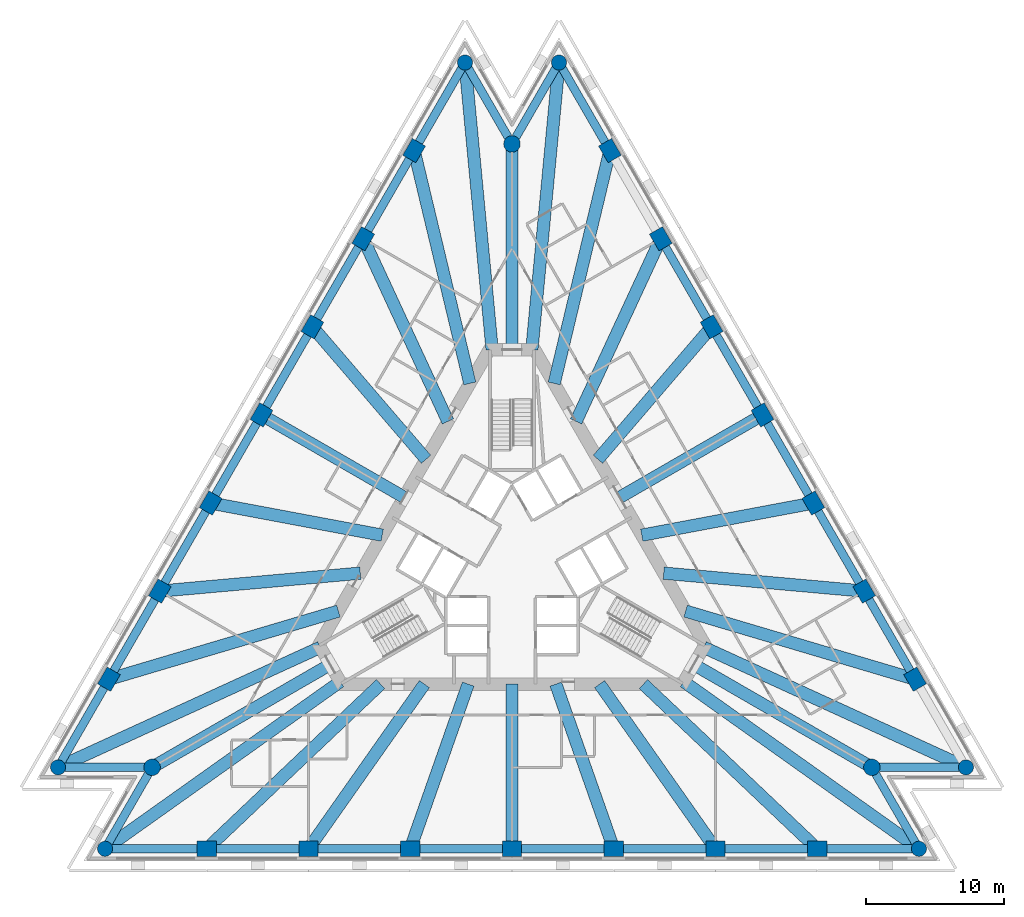
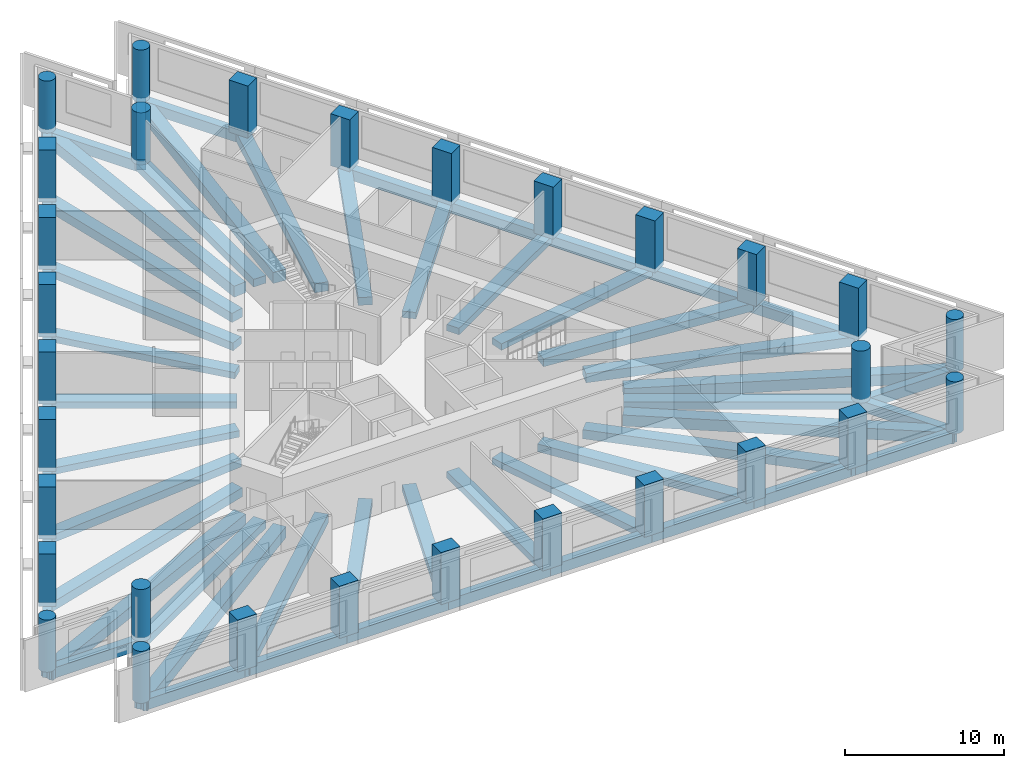
# One storey, part 1 of 11: 58 beams, 30 columns.
"""IFC4 building model written with IfcOpenShell, lengths in metres."""

from ifc_helpers import new_model, si_unit, direction, frame, origin, origin_2d, place, context, subcontext, project, spatial, rectangle, circle, extrude, material, material_profile, profile_set, type_object, element, save


model = new_model("IFC4")

# Units and contexts
model_context = context("Model", 3, precision=1e-05, world=origin(), true_north=direction((0.0, 1.0)))
body_context = subcontext(model_context, "Body", "Model", "MODEL_VIEW")
ifc_project = project(units=[si_unit("LENGTHUNIT", "METRE"), si_unit("AREAUNIT", "SQUARE_METRE"), si_unit("VOLUMEUNIT", "CUBIC_METRE"), si_unit("PLANEANGLEUNIT", "RADIAN"), si_unit("MASSUNIT", "GRAM", prefix="KILO")], contexts=[model_context])

# Site, building, storey
site_placement = place(None, origin())
site = spatial("IfcSite", under=ifc_project, at=site_placement, CompositionType="ELEMENT")
building_placement = place(site_placement, origin())
building = spatial("IfcBuilding", under=site, at=building_placement, Name="Triada Interchange Tower", CompositionType="ELEMENT")
storey_placement = place(building_placement, frame((0.0, 0.0, 67.300048828125)))
storey = spatial("IfcBuildingStorey", under=building, at=storey_placement, Name="L14", CompositionType="ELEMENT", Elevation=67.300048828125)

# Columns
ifc_material_1 = material(Name="Concrete C70/85", Category="concrete")
ifc_material_profile_1 = material_profile(ifc_material_1, rectangle(XDim=1.39990234375, YDim=1.10009765625, at=origin_2d()), Name="RC 1400x1100")
ifc_profile_set_1 = profile_set([ifc_material_profile_1], Name="Concrete C70/85")
column_type_1 = type_object("IfcColumnType", Name="Column A face RC 1400x1100", PredefinedType="COLUMN", material=ifc_profile_set_1)
for number, where, z_axis, x_axis, name in (
    (1, (-7.112060546875, 29.7119140625, -0.300048828125), (0.0, 0.0, 1.0), (0.5, 0.866025403784, 0.0), "Column CA02 L14"),
    (2, (-10.80810546875, 23.31005859375, -0.300048828125), (0.0, 0.0, 1.0), (0.5, 0.866025403784, 0.0), "Column CA03 L14"),
    (3, (-14.50390625, 16.908935546875, -0.300048828125), (0.0, 0.0, 1.0), (0.5, 0.866025403784, 0.0), "Column CA04 L14"),
    (4, (-18.198974609375, 10.508056640625, -0.300048828125), (0.0, 0.0, 1.0), (0.5, 0.866025403784, 0.0), "Column CA05 L14"),
    (5, (-21.89501953125, 4.10595703125, -0.300048828125), (0.0, 0.0, 1.0), (0.5, 0.866025403784, 0.0), "Column CA06 L14"),
    (6, (-25.591064453125, -2.294921875, -0.300048828125), (0.0, 0.0, 1.0), (0.5, 0.866025403784, 0.0), "Column CA07 L14"),
    (7, (-29.287109375, -8.697021484375, -0.300048828125), (0.0, 0.0, 1.0), (0.5, 0.866025403784, 0.0), "Column CA08 L14"),
    (8, (-22.174072265625, -21.014892578125, -0.300048828125), (0.0, 0.0, 1.0), (1.0, 0.0, 0.0), "Column CA11 L14"),
    (9, (-14.782958984375, -21.014892578125, -0.300048828125), (0.0, 0.0, 1.0), (1.0, 0.0, 0.0), "Column CA12 L14"),
    (10, (-7.39208984375, -21.014892578125, -0.300048828125), (0.0, 0.0, 1.0), (1.0, 0.0, 0.0), "Column CA13 L14"),
    (11, (0.0, -21.014892578125, -0.300048828125), (0.0, 0.0, 1.0), (1.0, 0.0, 0.0), "Column CA14 L14"),
    (12, (7.39111328125, -21.014892578125, -0.300048828125), (0.0, 0.0, 1.0), (1.0, 0.0, 0.0), "Column CA15 L14"),
    (13, (14.782958984375, -21.014892578125, -0.300048828125), (0.0, 0.0, 1.0), (1.0, 0.0, 0.0), "Column CA16 L14"),
    (14, (22.174072265625, -21.014892578125, -0.300048828125), (0.0, 0.0, 1.0), (1.0, 0.0, 0.0), "Column CA17 L14"),
    (15, (29.287109375, -8.697021484375, -0.300048828125), (0.0, 0.0, 1.0), (-0.5, 0.866025403784, 0.0), "Column CA20 L14"),
    (16, (25.591064453125, -2.294921875, -0.300048828125), (0.0, 0.0, 1.0), (-0.5, 0.866025403784, 0.0), "Column CA21 L14"),
    (17, (21.89501953125, 4.10595703125, -0.300048828125), (0.0, 0.0, 1.0), (-0.5, 0.866025403784, 0.0), "Column CA22 L14"),
    (18, (18.199951171875, 10.507080078125, -0.300048828125), (0.0, 0.0, 1.0), (-0.5, 0.866025403784, 0.0), "Column CA23 L14"),
    (19, (14.50390625, 16.908935546875, -0.300048828125), (0.0, 0.0, 1.0), (-0.5, 0.866025403784, 0.0), "Column CA24 L14"),
    (20, (10.80810546875, 23.31005859375, -0.300048828125), (0.0, 0.0, 1.0), (-0.5, 0.866025403784, 0.0), "Column CA25 L14"),
    (21, (7.112060546875, 29.7119140625, -0.300048828125), (0.0, 0.0, 1.0), (-0.5, 0.866025403784, 0.0), "Column CA26 L14"),
):
    element("IfcColumn", number, at=place(storey_placement, frame(where, z_axis=z_axis, x_axis=x_axis)), inside=storey, type_object=column_type_1, Name=name, PredefinedType="COLUMN", context=body_context, shape_type="SweptSolid", body=[
        extrude(rectangle(XDim=1.39990234375, YDim=1.10009765625, at=origin_2d()), origin(), (0.0, 0.0, 1.0), 4.0),
    ])
ifc_material_profile_2 = material_profile(ifc_material_1, circle(Radius=0.550048828125, at=origin_2d()), Name="RC D1100")
ifc_profile_set_2 = profile_set([ifc_material_profile_2], Name="Concrete C70/85")
column_type_2 = type_object("IfcColumnType", Name="End column A RC D1100", PredefinedType="COLUMN", material=ifc_profile_set_2)
for number, where, z_axis, x_axis, name in (
    (22, (-3.416015625, 36.113037109375, -0.300048828125), (0.0, 0.0, 1.0), (0.5, 0.866025403784, 0.0), "Column CA01 L14"),
    (23, (-32.98291015625, -15.097900390625, -0.300048828125), (0.0, 0.0, 1.0), (0.5, 0.866025403784, 0.0), "Column CA09 L14"),
    (24, (-29.56591796875, -21.014892578125, -0.300048828125), (0.0, 0.0, 1.0), (1.0, 0.0, 0.0), "Column CA10 L14"),
    (25, (29.56591796875, -21.014892578125, -0.300048828125), (0.0, 0.0, 1.0), (1.0, 0.0, 0.0), "Column CA18 L14"),
    (26, (32.98291015625, -15.097900390625, -0.300048828125), (0.0, 0.0, 1.0), (-0.5, 0.866025403784, 0.0), "Column CA19 L14"),
    (27, (3.416015625, 36.113037109375, -0.300048828125), (0.0, 0.0, 1.0), (-0.5, 0.866025403784, 0.0), "Column CA27 L14"),
):
    element("IfcColumn", number, at=place(storey_placement, frame(where, z_axis=z_axis, x_axis=x_axis)), inside=storey, type_object=column_type_2, Name=name, PredefinedType="COLUMN", context=body_context, shape_type="SweptSolid", body=[
        extrude(circle(Radius=0.550048828125, at=origin_2d()), origin(), (0.0, 0.0, 1.0), 4.0),
    ])
ifc_material_profile_3 = material_profile(ifc_material_1, circle(Radius=0.60009765625, at=origin_2d()), Name="RC D1200")
ifc_profile_set_3 = profile_set([ifc_material_profile_3], Name="Concrete C70/85")
column_type_3 = type_object("IfcColumnType", Name="Mega column A RC D1200", PredefinedType="COLUMN", material=ifc_profile_set_3)
for number, where, z_axis, x_axis, name in (
    (28, (0.0, 30.196044921875, -0.300048828125), (0.0, 0.0, 1.0), (1.0, 0.0, 0.0), "Column MA1 L14"),
    (29, (-26.14990234375, -15.097900390625, -0.300048828125), (0.0, 0.0, 1.0), (1.0, 0.0, 0.0), "Column MA2 L14"),
    (30, (26.14990234375, -15.097900390625, -0.300048828125), (0.0, 0.0, 1.0), (1.0, 0.0, 0.0), "Column MA3 L14"),
):
    element("IfcColumn", number, at=place(storey_placement, frame(where, z_axis=z_axis, x_axis=x_axis)), inside=storey, type_object=column_type_3, Name=name, PredefinedType="COLUMN", context=body_context, shape_type="SweptSolid", body=[
        extrude(circle(Radius=0.60009765625, at=origin_2d()), origin(), (0.0, 0.0, 1.0), 4.0),
    ])

# Beams
ifc_material_2 = material(Name="Concrete C50/60", Category="concrete")
ifc_material_profile_4 = material_profile(ifc_material_2, rectangle(XDim=0.89990234375, YDim=0.5, at=origin_2d()), Name="RC 900x500")
ifc_profile_set_4 = profile_set([ifc_material_profile_4], Name="Concrete C50/60")
beam_type_1 = type_object("IfcBeamType", Name="Radial band beam A RC 900x500", PredefinedType="BEAM", material=ifc_profile_set_4)
beam_1_placement = place(storey_placement, frame((-14.50390625, 16.908935546875, -0.550048828125), z_axis=(0.651070323425, -0.759017413473, 0.0), x_axis=(0.759017413473, 0.651070323425, 0.0)))
element("IfcBeam", 31, at=beam_1_placement, inside=storey, type_object=beam_type_1, Name="Radial band beam BA04 L14", PredefinedType="BEAM", context=body_context, shape_type="SweptSolid", body=[
    extrude(rectangle(XDim=0.89990234375, YDim=0.5, at=origin_2d()), origin(), (0.0, 0.0, 1.0), 12.683349609375),
])
beam_2_placement = place(storey_placement, frame((-18.198974609375, 10.508056640625, -0.550048828125), z_axis=(0.866003116035, -0.500038601528, 0.0), x_axis=(0.500038601528, 0.866003116035, 0.0)))
element("IfcBeam", 32, at=beam_2_placement, inside=storey, type_object=beam_type_1, Name="Radial band beam BA05 L14", PredefinedType="BEAM", context=body_context, shape_type="SweptSolid", body=[
    extrude(rectangle(XDim=0.89990234375, YDim=0.5, at=origin_2d()), origin(), (0.0, 0.0, 1.0), 11.96533203125),
])
beam_3_placement = place(storey_placement, frame((-21.89501953125, 4.10595703125, -0.550048828125), z_axis=(0.98286499511, -0.184326887315, 0.0), x_axis=(0.184326887315, 0.98286499511, 0.0)))
element("IfcBeam", 33, at=beam_3_placement, inside=storey, type_object=beam_type_1, Name="Radial band beam BA06 L14", PredefinedType="BEAM", context=body_context, shape_type="SweptSolid", body=[
    extrude(rectangle(XDim=0.89990234375, YDim=0.5, at=origin_2d()), origin(), (0.0, 0.0, 1.0), 12.683349609375),
])
beam_4_placement = place(storey_placement, frame((-7.39208984375, -21.014892578125, -0.550048828125), z_axis=(0.331845310944, 0.943333816633, 0.0), x_axis=(-0.943333816633, 0.331845310944, 0.0)))
element("IfcBeam", 34, at=beam_4_placement, inside=storey, type_object=beam_type_1, Name="Radial band beam BA14 L14", PredefinedType="BEAM", context=body_context, shape_type="SweptSolid", body=[
    extrude(rectangle(XDim=0.89990234375, YDim=0.5, at=origin_2d()), origin(), (0.0, 0.0, 1.0), 12.68359375),
])
beam_5_placement = place(storey_placement, frame((0.0, -21.014892578125, -0.550048828125), z_axis=(0.0, 1.0, 0.0), x_axis=(-1.0, 0.0, 0.0)))
element("IfcBeam", 35, at=beam_5_placement, inside=storey, type_object=beam_type_1, Name="Radial band beam BA15 L14", PredefinedType="BEAM", context=body_context, shape_type="SweptSolid", body=[
    extrude(rectangle(XDim=0.89990234375, YDim=0.5, at=origin_2d()), origin(), (0.0, 0.0, 1.0), 11.96484375),
])
for number, where, z_axis, x_axis, name in (
    (36, (7.39111328125, -21.014892578125, -0.550048828125), (-0.331776792757, 0.943357917117, 0.0), (-0.943357917117, -0.331776792757, 0.0), "Radial band beam BA16 L14"),
    (37, (21.89501953125, 4.10595703125, -0.550048828125), (-0.98286499511, -0.184326887315, 0.0), (0.184326887315, -0.98286499511, 0.0), "Radial band beam BA24 L14"),
):
    element("IfcBeam", number, at=place(storey_placement, frame(where, z_axis=z_axis, x_axis=x_axis)), inside=storey, type_object=beam_type_1, Name=name, PredefinedType="BEAM", context=body_context, shape_type="SweptSolid", body=[
        extrude(rectangle(XDim=0.89990234375, YDim=0.5, at=origin_2d()), origin(), (0.0, 0.0, 1.0), 12.683349609375),
    ])
beam_6_placement = place(storey_placement, frame((18.199951171875, 10.507080078125, -0.550048828125), z_axis=(-0.86603845774, -0.499977389204, 0.0), x_axis=(0.499977389204, -0.86603845774, 0.0)))
element("IfcBeam", 38, at=beam_6_placement, inside=storey, type_object=beam_type_1, Name="Radial band beam BA25 L14", PredefinedType="BEAM", context=body_context, shape_type="SweptSolid", body=[
    extrude(rectangle(XDim=0.89990234375, YDim=0.5, at=origin_2d()), origin(), (0.0, 0.0, 1.0), 11.96484375),
])
beam_7_placement = place(storey_placement, frame((14.50390625, 16.908935546875, -0.550048828125), z_axis=(-0.651070323425, -0.759017413473, 0.0), x_axis=(0.759017413473, -0.651070323425, 0.0)))
element("IfcBeam", 39, at=beam_7_placement, inside=storey, type_object=beam_type_1, Name="Radial band beam BA26 L14", PredefinedType="BEAM", context=body_context, shape_type="SweptSolid", body=[
    extrude(rectangle(XDim=0.89990234375, YDim=0.5, at=origin_2d()), origin(), (0.0, 0.0, 1.0), 12.683349609375),
])
ifc_material_profile_5 = material_profile(ifc_material_2, rectangle(XDim=0.89990234375, YDim=0.60009765625, at=origin_2d()), Name="RC 900x600")
ifc_profile_set_5 = profile_set([ifc_material_profile_5], Name="Concrete C50/60")
beam_type_2 = type_object("IfcBeamType", Name="Radial band beam A RC 900x600", PredefinedType="BEAM", material=ifc_profile_set_5)
beam_8_placement = place(storey_placement, frame((-10.80810546875, 23.31005859375, -0.60009765625), z_axis=(0.420665063471, -0.907216018584, 0.0), x_axis=(0.907216018584, 0.420665063471, 0.0)))
element("IfcBeam", 40, at=beam_8_placement, inside=storey, type_object=beam_type_2, Name="Radial band beam BA03 L14", PredefinedType="BEAM", context=body_context, shape_type="SweptSolid", body=[
    extrude(rectangle(XDim=0.89990234375, YDim=0.60009765625, at=origin_2d()), origin(), (0.0, 0.0, 1.0), 14.62939453125),
])
beam_9_placement = place(storey_placement, frame((-25.591064453125, -2.294921875, -0.60009765625), z_axis=(0.99600137706, 0.089337880517, 0.0), x_axis=(-0.089337880517, 0.99600137706, 0.0)))
element("IfcBeam", 41, at=beam_9_placement, inside=storey, type_object=beam_type_2, Name="Radial band beam BA07 L14", PredefinedType="BEAM", context=body_context, shape_type="SweptSolid", body=[
    extrude(rectangle(XDim=0.89990234375, YDim=0.60009765625, at=origin_2d()), origin(), (0.0, 0.0, 1.0), 14.628662109375),
])
beam_10_placement = place(storey_placement, frame((-26.14990234375, -15.097900390625, -0.60009765625), z_axis=(0.866015834355, 0.500016574372, 0.0), x_axis=(-0.500016574372, 0.866015834355, 0.0)))
element("IfcBeam", 42, at=beam_10_placement, inside=storey, type_object=beam_type_2, Name="Radial band beam BA10 L14", PredefinedType="BEAM", context=body_context, shape_type="SweptSolid", body=[
    extrude(rectangle(XDim=0.89990234375, YDim=0.60009765625, at=origin_2d()), origin(), (0.0, 0.0, 1.0), 14.9453125),
])
for number, where, z_axis, x_axis, name in (
    (43, (-14.782958984375, -21.014892578125, -0.60009765625), (0.575369380509, 0.817893682561, 0.0), (-0.817893682561, 0.575369380509, 0.0), "Radial band beam BA13 L14"),
    (44, (14.782958984375, -21.014892578125, -0.60009765625), (-0.575369380509, 0.817893682561, 0.0), (-0.817893682561, -0.575369380509, 0.0), "Radial band beam BA17 L14"),
):
    element("IfcBeam", number, at=place(storey_placement, frame(where, z_axis=z_axis, x_axis=x_axis)), inside=storey, type_object=beam_type_2, Name=name, PredefinedType="BEAM", context=body_context, shape_type="SweptSolid", body=[
        extrude(rectangle(XDim=0.89990234375, YDim=0.60009765625, at=origin_2d()), origin(), (0.0, 0.0, 1.0), 14.62890625),
    ])
beam_11_placement = place(storey_placement, frame((26.14990234375, -15.097900390625, -0.60009765625), z_axis=(-0.866015834355, 0.500016574372, 0.0), x_axis=(-0.500016574372, -0.866015834355, 0.0)))
element("IfcBeam", 45, at=beam_11_placement, inside=storey, type_object=beam_type_2, Name="Radial band beam BA20 L14", PredefinedType="BEAM", context=body_context, shape_type="SweptSolid", body=[
    extrude(rectangle(XDim=0.89990234375, YDim=0.60009765625, at=origin_2d()), origin(), (0.0, 0.0, 1.0), 14.9453125),
])
beam_12_placement = place(storey_placement, frame((25.591064453125, -2.294921875, -0.60009765625), z_axis=(-0.99600137706, 0.089337880517, 0.0), x_axis=(-0.089337880517, -0.99600137706, 0.0)))
element("IfcBeam", 46, at=beam_12_placement, inside=storey, type_object=beam_type_2, Name="Radial band beam BA23 L14", PredefinedType="BEAM", context=body_context, shape_type="SweptSolid", body=[
    extrude(rectangle(XDim=0.89990234375, YDim=0.60009765625, at=origin_2d()), origin(), (0.0, 0.0, 1.0), 14.628662109375),
])
beam_13_placement = place(storey_placement, frame((10.80810546875, 23.31005859375, -0.60009765625), z_axis=(-0.420665063471, -0.907216018584, 0.0), x_axis=(0.907216018584, -0.420665063471, 0.0)))
element("IfcBeam", 47, at=beam_13_placement, inside=storey, type_object=beam_type_2, Name="Radial band beam BA27 L14", PredefinedType="BEAM", context=body_context, shape_type="SweptSolid", body=[
    extrude(rectangle(XDim=0.89990234375, YDim=0.60009765625, at=origin_2d()), origin(), (0.0, 0.0, 1.0), 14.62939453125),
])
beam_14_placement = place(storey_placement, frame((0.0, 30.196044921875, -0.60009765625), z_axis=(0.0, -1.0, 0.0), x_axis=(1.0, 0.0, 0.0)))
element("IfcBeam", 48, at=beam_14_placement, inside=storey, type_object=beam_type_2, Name="Radial band beam BA30 L14", PredefinedType="BEAM", context=body_context, shape_type="SweptSolid", body=[
    extrude(rectangle(XDim=0.89990234375, YDim=0.60009765625, at=origin_2d()), origin(), (0.0, 0.0, 1.0), 14.946044921875),
])
ifc_material_profile_6 = material_profile(ifc_material_2, rectangle(XDim=0.89990234375, YDim=0.699951171875, at=origin_2d()), Name="RC 900x700")
ifc_profile_set_6 = profile_set([ifc_material_profile_6], Name="Concrete C50/60")
beam_type_3 = type_object("IfcBeamType", Name="Radial band beam A RC 900x700", PredefinedType="BEAM", material=ifc_profile_set_6)
beam_15_placement = place(storey_placement, frame((-7.112060546875, 29.7119140625, -0.650146484375), z_axis=(0.232774658335, -0.972530697941, 0.0), x_axis=(0.972530697941, 0.232774658335, 0.0)))
element("IfcBeam", 49, at=beam_15_placement, inside=storey, type_object=beam_type_3, Name="Radial band beam BA02 L14", PredefinedType="BEAM", context=body_context, shape_type="SweptSolid", body=[
    extrude(rectangle(XDim=0.89990234375, YDim=0.699951171875, at=origin_2d()), origin(), (0.0, 0.0, 1.0), 17.394775390625),
])
for number, where, z_axis, x_axis, name in (
    (50, (-29.287109375, -8.697021484375, -0.650146484375), (0.958618799004, 0.284692813743, 0.0), (-0.284692813743, 0.958618799004, 0.0), "Radial band beam BA08 L14"),
    (51, (-22.174072265625, -21.014892578125, -0.650146484375), (0.725828745661, 0.687875448008, 0.0), (-0.687875448008, 0.725828745661, 0.0), "Radial band beam BA12 L14"),
    (52, (22.174072265625, -21.014892578125, -0.650146484375), (-0.725828745661, 0.687875448008, 0.0), (-0.687875448008, -0.725828745661, 0.0), "Radial band beam BA18 L14"),
    (53, (29.287109375, -8.697021484375, -0.650146484375), (-0.958618799004, 0.284692813743, 0.0), (-0.284692813743, -0.958618799004, 0.0), "Radial band beam BA22 L14"),
):
    element("IfcBeam", number, at=place(storey_placement, frame(where, z_axis=z_axis, x_axis=x_axis)), inside=storey, type_object=beam_type_3, Name=name, PredefinedType="BEAM", context=body_context, shape_type="SweptSolid", body=[
        extrude(rectangle(XDim=0.89990234375, YDim=0.699951171875, at=origin_2d()), origin(), (0.0, 0.0, 1.0), 17.393798828125),
    ])
beam_16_placement = place(storey_placement, frame((7.112060546875, 29.7119140625, -0.650146484375), z_axis=(-0.232774658335, -0.972530697941, 0.0), x_axis=(0.972530697941, -0.232774658335, 0.0)))
element("IfcBeam", 54, at=beam_16_placement, inside=storey, type_object=beam_type_3, Name="Radial band beam BA28 L14", PredefinedType="BEAM", context=body_context, shape_type="SweptSolid", body=[
    extrude(rectangle(XDim=0.89990234375, YDim=0.699951171875, at=origin_2d()), origin(), (0.0, 0.0, 1.0), 17.394775390625),
])
ifc_material_profile_7 = material_profile(ifc_material_2, rectangle(XDim=0.89990234375, YDim=0.85009765625, at=origin_2d()), Name="RC 900x850")
ifc_profile_set_7 = profile_set([ifc_material_profile_7], Name="Concrete C50/60")
beam_type_4 = type_object("IfcBeamType", Name="Radial band beam A RC 900x850", PredefinedType="BEAM", material=ifc_profile_set_7)
beam_17_placement = place(storey_placement, frame((-3.416015625, 36.113037109375, -0.72509765625), z_axis=(0.09414438797, -0.995558553885, 0.0), x_axis=(0.995558553885, 0.09414438797, 0.0)))
element("IfcBeam", 55, at=beam_17_placement, inside=storey, type_object=beam_type_4, Name="Radial band beam BA01 L14", PredefinedType="BEAM", context=body_context, shape_type="SweptSolid", body=[
    extrude(rectangle(XDim=0.89990234375, YDim=0.85009765625, at=origin_2d()), origin(), (0.0, 0.0, 1.0), 20.9560546875),
])
beam_18_placement = place(storey_placement, frame((-32.98291015625, -15.097900390625, -0.72509765625), z_axis=(0.909274124678, 0.416197748903, 0.0), x_axis=(-0.416197748903, 0.909274124678, 0.0)))
element("IfcBeam", 56, at=beam_18_placement, inside=storey, type_object=beam_type_4, Name="Radial band beam BA09 L14", PredefinedType="BEAM", context=body_context, shape_type="SweptSolid", body=[
    extrude(rectangle(XDim=0.89990234375, YDim=0.85009765625, at=origin_2d()), origin(), (0.0, 0.0, 1.0), 20.956298828125),
])
for number, where, z_axis, x_axis, name in (
    (57, (-29.56591796875, -21.014892578125, -0.72509765625), (0.815078922103, 0.579349938071, 0.0), (-0.579349938071, 0.815078922103, 0.0), "Radial band beam BA11 L14"),
    (58, (29.56591796875, -21.014892578125, -0.72509765625), (-0.815078922103, 0.579349938071, 0.0), (-0.579349938071, -0.815078922103, 0.0), "Radial band beam BA19 L14"),
):
    element("IfcBeam", number, at=place(storey_placement, frame(where, z_axis=z_axis, x_axis=x_axis)), inside=storey, type_object=beam_type_4, Name=name, PredefinedType="BEAM", context=body_context, shape_type="SweptSolid", body=[
        extrude(rectangle(XDim=0.89990234375, YDim=0.85009765625, at=origin_2d()), origin(), (0.0, 0.0, 1.0), 20.9560546875),
    ])
beam_19_placement = place(storey_placement, frame((32.98291015625, -15.097900390625, -0.72509765625), z_axis=(-0.909274124678, 0.416197748903, 0.0), x_axis=(-0.416197748903, -0.909274124678, 0.0)))
element("IfcBeam", 59, at=beam_19_placement, inside=storey, type_object=beam_type_4, Name="Radial band beam BA21 L14", PredefinedType="BEAM", context=body_context, shape_type="SweptSolid", body=[
    extrude(rectangle(XDim=0.89990234375, YDim=0.85009765625, at=origin_2d()), origin(), (0.0, 0.0, 1.0), 20.956298828125),
])
beam_20_placement = place(storey_placement, frame((3.416015625, 36.113037109375, -0.72509765625), z_axis=(-0.09414438797, -0.995558553885, 0.0), x_axis=(0.995558553885, -0.09414438797, 0.0)))
element("IfcBeam", 60, at=beam_20_placement, inside=storey, type_object=beam_type_4, Name="Radial band beam BA29 L14", PredefinedType="BEAM", context=body_context, shape_type="SweptSolid", body=[
    extrude(rectangle(XDim=0.89990234375, YDim=0.85009765625, at=origin_2d()), origin(), (0.0, 0.0, 1.0), 20.9560546875),
])
ifc_material_profile_8 = material_profile(ifc_material_2, rectangle(XDim=0.60009765625, YDim=0.800048828125, at=origin_2d()), Name="RC 600x800")
ifc_profile_set_8 = profile_set([ifc_material_profile_8], Name="Concrete C50/60")
beam_type_5 = type_object("IfcBeamType", Name="Spandrel beam A RC 600x800", PredefinedType="BEAM", material=ifc_profile_set_8)
beam_21_placement = place(storey_placement, frame((-3.416015625, 36.113037109375, -0.699951171875), z_axis=(-0.500036000875, -0.866004617672, 0.0), x_axis=(0.866004617672, -0.500036000875, 0.0)))
element("IfcBeam", 61, at=beam_21_placement, inside=storey, type_object=beam_type_5, Name="Spandrel beam EA01 L14", PredefinedType="BEAM", context=body_context, shape_type="SweptSolid", body=[
    extrude(rectangle(XDim=0.60009765625, YDim=0.800048828125, at=origin_2d()), origin(), (0.0, 0.0, 1.0), 7.3916015625),
])
beam_22_placement = place(storey_placement, frame((-7.112060546875, 29.7119140625, -0.699951171875), z_axis=(-0.499993095098, -0.866029390295, 0.0), x_axis=(0.866029390295, -0.499993095098, 0.0)))
element("IfcBeam", 62, at=beam_22_placement, inside=storey, type_object=beam_type_5, Name="Spandrel beam EA02 L14", PredefinedType="BEAM", context=body_context, shape_type="SweptSolid", body=[
    extrude(rectangle(XDim=0.60009765625, YDim=0.800048828125, at=origin_2d()), origin(), (0.0, 0.0, 1.0), 7.39208984375),
])
beam_23_placement = place(storey_placement, frame((-10.80810546875, 23.31005859375, -0.699951171875), z_axis=(-0.500011229206, -0.866018920502, 0.0), x_axis=(0.866018920502, -0.500011229206, 0.0)))
element("IfcBeam", 63, at=beam_23_placement, inside=storey, type_object=beam_type_5, Name="Spandrel beam EA03 L14", PredefinedType="BEAM", context=body_context, shape_type="SweptSolid", body=[
    extrude(rectangle(XDim=0.60009765625, YDim=0.800048828125, at=origin_2d()), origin(), (0.0, 0.0, 1.0), 7.391357421875),
])
beam_24_placement = place(storey_placement, frame((-14.50390625, 16.908935546875, -0.699951171875), z_axis=(-0.499951209181, -0.866053571345, 0.0), x_axis=(0.866053571345, -0.499951209181, 0.0)))
element("IfcBeam", 64, at=beam_24_placement, inside=storey, type_object=beam_type_5, Name="Spandrel beam EA04 L14", PredefinedType="BEAM", context=body_context, shape_type="SweptSolid", body=[
    extrude(rectangle(XDim=0.60009765625, YDim=0.800048828125, at=origin_2d()), origin(), (0.0, 0.0, 1.0), 7.390869140625),
])
beam_25_placement = place(storey_placement, frame((-18.198974609375, 10.508056640625, -0.699951171875), z_axis=(-0.499978794536, -0.866037646418, 0.0), x_axis=(0.866037646418, -0.499978794536, 0.0)))
element("IfcBeam", 65, at=beam_25_placement, inside=storey, type_object=beam_type_5, Name="Spandrel beam EA05 L14", PredefinedType="BEAM", context=body_context, shape_type="SweptSolid", body=[
    extrude(rectangle(XDim=0.60009765625, YDim=0.800048828125, at=origin_2d()), origin(), (0.0, 0.0, 1.0), 7.392333984375),
])
beam_26_placement = place(storey_placement, frame((-21.89501953125, 4.10595703125, -0.699951171875), z_axis=(-0.500050304164, -0.865996358714, 0.0), x_axis=(0.865996358714, -0.500050304164, 0.0)))
element("IfcBeam", 66, at=beam_26_placement, inside=storey, type_object=beam_type_5, Name="Spandrel beam EA06 L14", PredefinedType="BEAM", context=body_context, shape_type="SweptSolid", body=[
    extrude(rectangle(XDim=0.60009765625, YDim=0.800048828125, at=origin_2d()), origin(), (0.0, 0.0, 1.0), 7.391357421875),
])
beam_27_placement = place(storey_placement, frame((-25.591064453125, -2.294921875, -0.699951171875), z_axis=(-0.499978794536, -0.866037646418, 0.0), x_axis=(0.866037646418, -0.499978794536, 0.0)))
element("IfcBeam", 67, at=beam_27_placement, inside=storey, type_object=beam_type_5, Name="Spandrel beam EA07 L14", PredefinedType="BEAM", context=body_context, shape_type="SweptSolid", body=[
    extrude(rectangle(XDim=0.60009765625, YDim=0.800048828125, at=origin_2d()), origin(), (0.0, 0.0, 1.0), 7.392333984375),
])
beam_28_placement = place(storey_placement, frame((-29.287109375, -8.697021484375, -0.699951171875), z_axis=(-0.500025532259, -0.866010662226, 0.0), x_axis=(0.866010662226, -0.500025532259, 0.0)))
element("IfcBeam", 68, at=beam_28_placement, inside=storey, type_object=beam_type_5, Name="Spandrel beam EA08 L14", PredefinedType="BEAM", context=body_context, shape_type="SweptSolid", body=[
    extrude(rectangle(XDim=0.60009765625, YDim=0.800048828125, at=origin_2d()), origin(), (0.0, 0.0, 1.0), 7.39111328125),
])
beam_29_placement = place(storey_placement, frame((-32.98291015625, -15.097900390625, -0.699951171875), z_axis=(1.0, 0.0, 0.0), x_axis=(0.0, 1.0, 0.0)))
element("IfcBeam", 69, at=beam_29_placement, inside=storey, type_object=beam_type_5, Name="Spandrel beam EA09 L14", PredefinedType="BEAM", context=body_context, shape_type="SweptSolid", body=[
    extrude(rectangle(XDim=0.60009765625, YDim=0.800048828125, at=origin_2d()), origin(), (0.0, 0.0, 1.0), 6.8330078125),
])
beam_30_placement = place(storey_placement, frame((-26.14990234375, -15.097900390625, -0.699951171875), z_axis=(-0.499982281718, -0.866035633198, 0.0), x_axis=(0.866035633198, -0.499982281718, 0.0)))
element("IfcBeam", 70, at=beam_30_placement, inside=storey, type_object=beam_type_5, Name="Spandrel beam EA10 L14", PredefinedType="BEAM", context=body_context, shape_type="SweptSolid", body=[
    extrude(rectangle(XDim=0.60009765625, YDim=0.800048828125, at=origin_2d()), origin(), (0.0, 0.0, 1.0), 6.832275390625),
])
beam_31_placement = place(storey_placement, frame((-29.56591796875, -21.014892578125, -0.699951171875), z_axis=(1.0, 0.0, 0.0), x_axis=(0.0, 1.0, 0.0)))
element("IfcBeam", 71, at=beam_31_placement, inside=storey, type_object=beam_type_5, Name="Spandrel beam EA11 L14", PredefinedType="BEAM", context=body_context, shape_type="SweptSolid", body=[
    extrude(rectangle(XDim=0.60009765625, YDim=0.800048828125, at=origin_2d()), origin(), (0.0, 0.0, 1.0), 7.391845703125),
])
beam_32_placement = place(storey_placement, frame((-22.174072265625, -21.014892578125, -0.699951171875), z_axis=(1.0, 0.0, 0.0), x_axis=(0.0, 1.0, 0.0)))
element("IfcBeam", 72, at=beam_32_placement, inside=storey, type_object=beam_type_5, Name="Spandrel beam EA12 L14", PredefinedType="BEAM", context=body_context, shape_type="SweptSolid", body=[
    extrude(rectangle(XDim=0.60009765625, YDim=0.800048828125, at=origin_2d()), origin(), (0.0, 0.0, 1.0), 7.39111328125),
])
beam_33_placement = place(storey_placement, frame((-14.782958984375, -21.014892578125, -0.699951171875), z_axis=(1.0, 0.0, 0.0), x_axis=(0.0, 1.0, 0.0)))
element("IfcBeam", 73, at=beam_33_placement, inside=storey, type_object=beam_type_5, Name="Spandrel beam EA13 L14", PredefinedType="BEAM", context=body_context, shape_type="SweptSolid", body=[
    extrude(rectangle(XDim=0.60009765625, YDim=0.800048828125, at=origin_2d()), origin(), (0.0, 0.0, 1.0), 7.390869140625),
])
beam_34_placement = place(storey_placement, frame((-7.39208984375, -21.014892578125, -0.699951171875), z_axis=(1.0, 0.0, 0.0), x_axis=(0.0, 1.0, 0.0)))
element("IfcBeam", 74, at=beam_34_placement, inside=storey, type_object=beam_type_5, Name="Spandrel beam EA14 L14", PredefinedType="BEAM", context=body_context, shape_type="SweptSolid", body=[
    extrude(rectangle(XDim=0.60009765625, YDim=0.800048828125, at=origin_2d()), origin(), (0.0, 0.0, 1.0), 7.39208984375),
])
beam_35_placement = place(storey_placement, frame((0.0, -21.014892578125, -0.699951171875), z_axis=(1.0, 0.0, 0.0), x_axis=(0.0, 1.0, 0.0)))
element("IfcBeam", 75, at=beam_35_placement, inside=storey, type_object=beam_type_5, Name="Spandrel beam EA15 L14", PredefinedType="BEAM", context=body_context, shape_type="SweptSolid", body=[
    extrude(rectangle(XDim=0.60009765625, YDim=0.800048828125, at=origin_2d()), origin(), (0.0, 0.0, 1.0), 7.39111328125),
])
beam_36_placement = place(storey_placement, frame((7.39111328125, -21.014892578125, -0.699951171875), z_axis=(1.0, 0.0, 0.0), x_axis=(0.0, 1.0, 0.0)))
element("IfcBeam", 76, at=beam_36_placement, inside=storey, type_object=beam_type_5, Name="Spandrel beam EA16 L14", PredefinedType="BEAM", context=body_context, shape_type="SweptSolid", body=[
    extrude(rectangle(XDim=0.60009765625, YDim=0.800048828125, at=origin_2d()), origin(), (0.0, 0.0, 1.0), 7.391845703125),
])
beam_37_placement = place(storey_placement, frame((14.782958984375, -21.014892578125, -0.699951171875), z_axis=(1.0, 0.0, 0.0), x_axis=(0.0, 1.0, 0.0)))
element("IfcBeam", 77, at=beam_37_placement, inside=storey, type_object=beam_type_5, Name="Spandrel beam EA17 L14", PredefinedType="BEAM", context=body_context, shape_type="SweptSolid", body=[
    extrude(rectangle(XDim=0.60009765625, YDim=0.800048828125, at=origin_2d()), origin(), (0.0, 0.0, 1.0), 7.39111328125),
])
beam_38_placement = place(storey_placement, frame((22.174072265625, -21.014892578125, -0.699951171875), z_axis=(1.0, 0.0, 0.0), x_axis=(0.0, 1.0, 0.0)))
element("IfcBeam", 78, at=beam_38_placement, inside=storey, type_object=beam_type_5, Name="Spandrel beam EA18 L14", PredefinedType="BEAM", context=body_context, shape_type="SweptSolid", body=[
    extrude(rectangle(XDim=0.60009765625, YDim=0.800048828125, at=origin_2d()), origin(), (0.0, 0.0, 1.0), 7.391845703125),
])
beam_39_placement = place(storey_placement, frame((29.56591796875, -21.014892578125, -0.699951171875), z_axis=(-0.499982281718, 0.866035633198, 0.0), x_axis=(-0.866035633198, -0.499982281718, 0.0)))
element("IfcBeam", 79, at=beam_39_placement, inside=storey, type_object=beam_type_5, Name="Spandrel beam EA19 L14", PredefinedType="BEAM", context=body_context, shape_type="SweptSolid", body=[
    extrude(rectangle(XDim=0.60009765625, YDim=0.800048828125, at=origin_2d()), origin(), (0.0, 0.0, 1.0), 6.832275390625),
])
beam_40_placement = place(storey_placement, frame((26.14990234375, -15.097900390625, -0.699951171875), z_axis=(1.0, 0.0, 0.0), x_axis=(0.0, 1.0, 0.0)))
element("IfcBeam", 80, at=beam_40_placement, inside=storey, type_object=beam_type_5, Name="Spandrel beam EA20 L14", PredefinedType="BEAM", context=body_context, shape_type="SweptSolid", body=[
    extrude(rectangle(XDim=0.60009765625, YDim=0.800048828125, at=origin_2d()), origin(), (0.0, 0.0, 1.0), 6.8330078125),
])
beam_41_placement = place(storey_placement, frame((29.287109375, -8.697021484375, -0.699951171875), z_axis=(-0.499978794536, 0.866037646418, 0.0), x_axis=(-0.866037646418, -0.499978794536, 0.0)))
element("IfcBeam", 81, at=beam_41_placement, inside=storey, type_object=beam_type_5, Name="Spandrel beam EA22 L14", PredefinedType="BEAM", context=body_context, shape_type="SweptSolid", body=[
    extrude(rectangle(XDim=0.60009765625, YDim=0.800048828125, at=origin_2d()), origin(), (0.0, 0.0, 1.0), 7.392333984375),
])
beam_42_placement = place(storey_placement, frame((25.591064453125, -2.294921875, -0.699951171875), z_axis=(-0.500050304164, 0.865996358714, 0.0), x_axis=(-0.865996358714, -0.500050304164, 0.0)))
element("IfcBeam", 82, at=beam_42_placement, inside=storey, type_object=beam_type_5, Name="Spandrel beam EA23 L14", PredefinedType="BEAM", context=body_context, shape_type="SweptSolid", body=[
    extrude(rectangle(XDim=0.60009765625, YDim=0.800048828125, at=origin_2d()), origin(), (0.0, 0.0, 1.0), 7.391357421875),
])
beam_43_placement = place(storey_placement, frame((21.89501953125, 4.10595703125, -0.699951171875), z_axis=(-0.499936906837, 0.866061827575, 0.0), x_axis=(-0.866061827575, -0.499936906837, 0.0)))
element("IfcBeam", 83, at=beam_43_placement, inside=storey, type_object=beam_type_5, Name="Spandrel beam EA24 L14", PredefinedType="BEAM", context=body_context, shape_type="SweptSolid", body=[
    extrude(rectangle(XDim=0.60009765625, YDim=0.800048828125, at=origin_2d()), origin(), (0.0, 0.0, 1.0), 7.39111328125),
])
beam_44_placement = place(storey_placement, frame((18.199951171875, 10.507080078125, -0.699951171875), z_axis=(-0.499993095098, 0.866029390295, 0.0), x_axis=(-0.866029390295, -0.499993095098, 0.0)))
element("IfcBeam", 84, at=beam_44_placement, inside=storey, type_object=beam_type_5, Name="Spandrel beam EA25 L14", PredefinedType="BEAM", context=body_context, shape_type="SweptSolid", body=[
    extrude(rectangle(XDim=0.60009765625, YDim=0.800048828125, at=origin_2d()), origin(), (0.0, 0.0, 1.0), 7.39208984375),
])
beam_45_placement = place(storey_placement, frame((14.50390625, 16.908935546875, -0.699951171875), z_axis=(-0.500011229206, 0.866018920502, 0.0), x_axis=(-0.866018920502, -0.500011229206, 0.0)))
element("IfcBeam", 85, at=beam_45_placement, inside=storey, type_object=beam_type_5, Name="Spandrel beam EA26 L14", PredefinedType="BEAM", context=body_context, shape_type="SweptSolid", body=[
    extrude(rectangle(XDim=0.60009765625, YDim=0.800048828125, at=origin_2d()), origin(), (0.0, 0.0, 1.0), 7.391357421875),
])
beam_46_placement = place(storey_placement, frame((7.112060546875, 29.7119140625, -0.699951171875), z_axis=(-0.500036000875, 0.866004617672, 0.0), x_axis=(-0.866004617672, -0.500036000875, 0.0)))
element("IfcBeam", 86, at=beam_46_placement, inside=storey, type_object=beam_type_5, Name="Spandrel beam EA28 L14", PredefinedType="BEAM", context=body_context, shape_type="SweptSolid", body=[
    extrude(rectangle(XDim=0.60009765625, YDim=0.800048828125, at=origin_2d()), origin(), (0.0, 0.0, 1.0), 7.3916015625),
])
for number, where, z_axis, x_axis, name in (
    (87, (3.416015625, 36.113037109375, -0.699951171875), (-0.499982281718, -0.866035633198, 0.0), (0.866035633198, -0.499982281718, 0.0), "Spandrel beam EA29 L14"),
    (88, (0.0, 30.196044921875, -0.699951171875), (-0.499982281718, 0.866035633198, 0.0), (-0.866035633198, -0.499982281718, 0.0), "Spandrel beam EA30 L14"),
):
    element("IfcBeam", number, at=place(storey_placement, frame(where, z_axis=z_axis, x_axis=x_axis)), inside=storey, type_object=beam_type_5, Name=name, PredefinedType="BEAM", context=body_context, shape_type="SweptSolid", body=[
        extrude(rectangle(XDim=0.60009765625, YDim=0.800048828125, at=origin_2d()), origin(), (0.0, 0.0, 1.0), 6.832275390625),
    ])

save(model, "model.ifc")
